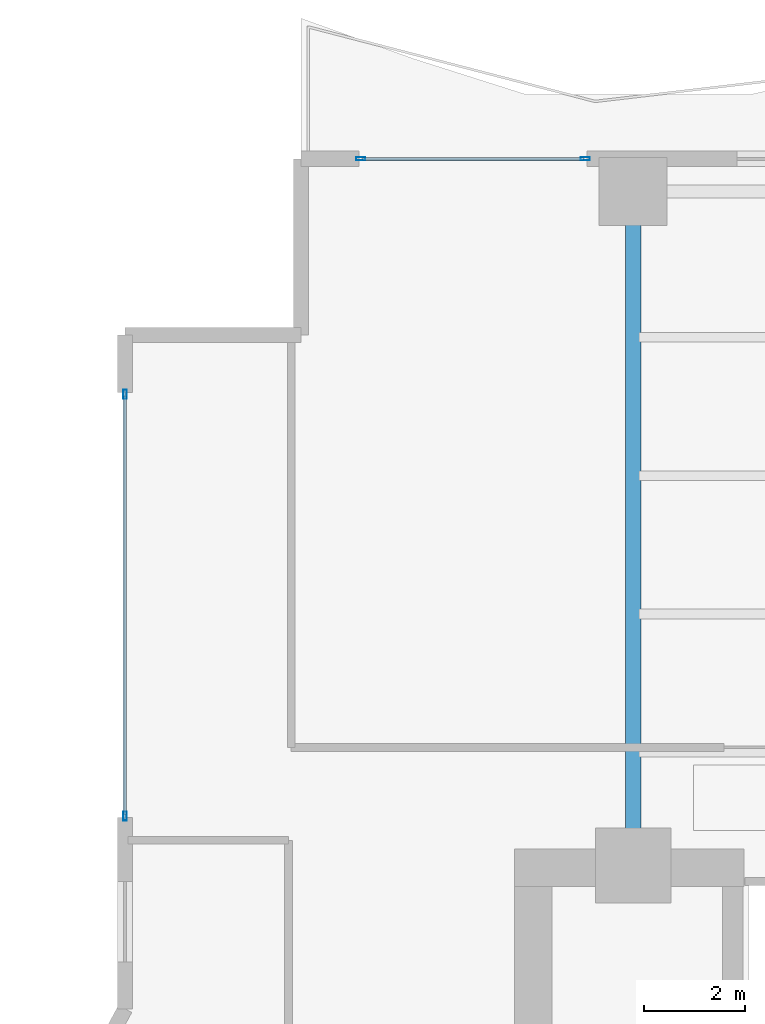
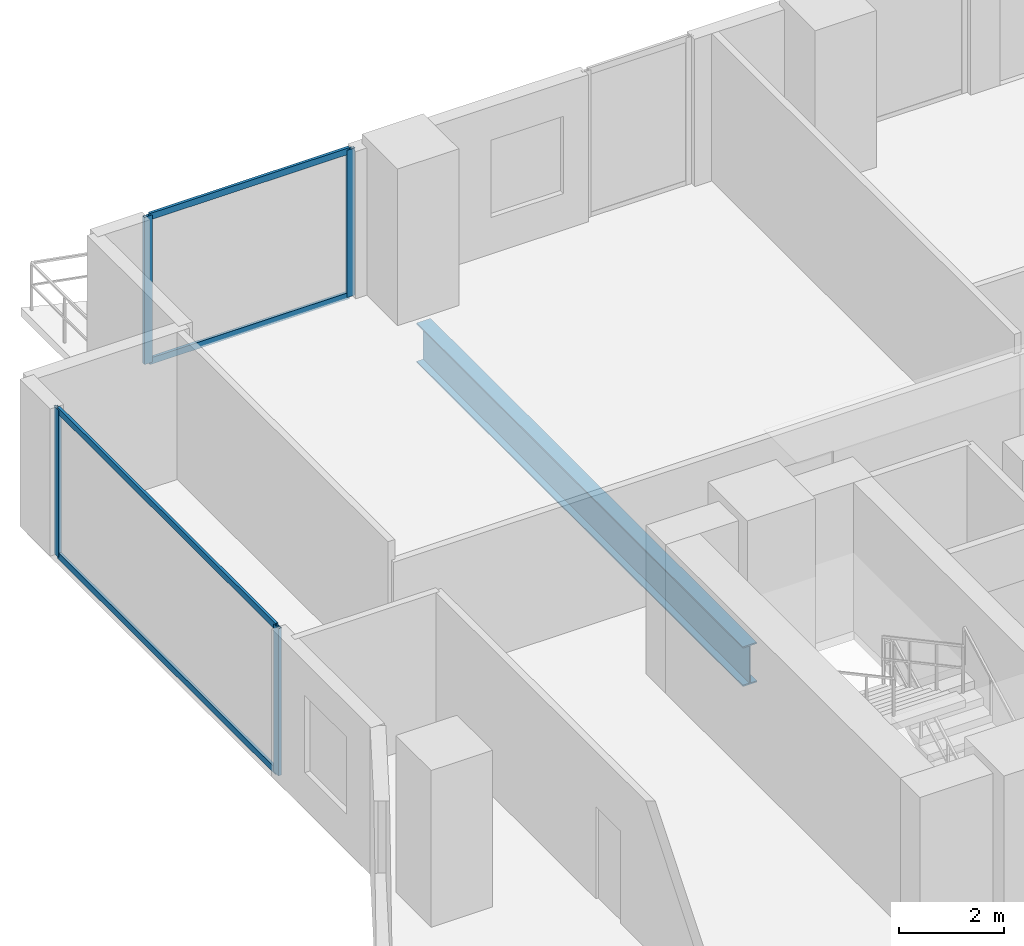
# One storey, part 14 of 28: 8 members, 1 beam, 2 elements without a shape of their own.
"""IFC4 building model written with IfcOpenShell, lengths in metres."""

import ifcopenshell
import ifcopenshell.guid

model = None  # the IFC model being written
_history = None  # IfcOwnerHistory: only IFC2X3 demands one
_inside = {}  # id of a spatial element -> (the spatial element, [elements in it])
_under = {}  # id of a project, library or spatial element -> (it, [spatial elements below it])
_declared = {}  # id of a project -> (the project, [libraries it declares])
_typed = {}  # id of a type object -> (the type object, [elements of that type])
_made_of = {}  # id of a material, layer set ... -> (it, [elements and type objects made of it])


def new_model(schema):
    """Start an empty IFC model of exactly this schema.

    Asked for "IFC4X3", IfcOpenShell would pick the latest addendum, in which some entities
    have other attributes; the version numbers below select the first issue.
    IFC2X3 requires an IfcOwnerHistory on every rooted entity: one is made here for all.
    """
    global model, _history
    if schema == "IFC4X3":
        model = ifcopenshell.file(schema_version=(4, 3, 0, 0))
    else:
        model = ifcopenshell.file(schema=schema)
    _inside.clear()
    _under.clear()
    _declared.clear()
    _typed.clear()
    _made_of.clear()
    _history = None
    if model.schema == "IFC2X3":
        org = make("IfcOrganization", Name="unknown")
        user = make(
            "IfcPersonAndOrganization",
            ThePerson=make("IfcPerson", FamilyName="unknown"),
            TheOrganization=org,
        )
        app = make(
            "IfcApplication",
            ApplicationDeveloper=org,
            Version="unknown",
            ApplicationFullName="unknown",
            ApplicationIdentifier="unknown",
        )
        _history = make(
            "IfcOwnerHistory",
            OwningUser=user,
            OwningApplication=app,
            ChangeAction="ADDED",
            CreationDate=0,
        )
    return model


def make(cls, **values):
    """One entity of the class cls with the attributes given. An attribute that is None is left unset."""
    return model.create_entity(
        cls, **{name: value for name, value in values.items() if value is not None}
    )


def rooted(cls, **values):
    """An entity with a GlobalId (a new one), such as an element, a storey or a relation."""
    return make(cls, GlobalId=ifcopenshell.guid.new(), OwnerHistory=_history, **values)


def si_unit(unit_type, name, prefix=None):
    """IfcSIUnit, for example si_unit("LENGTHUNIT", "METRE", prefix="MILLI")."""
    return make("IfcSIUnit", UnitType=unit_type, Prefix=prefix, Name=name)


def assignment(units):
    """IfcUnitAssignment: the units of a project."""
    return None if units is None else make("IfcUnitAssignment", Units=units)


def point(xyz):
    """IfcCartesianPoint."""
    return None if xyz is None else make("IfcCartesianPoint", Coordinates=xyz)


def direction(xyz):
    """IfcDirection."""
    return None if xyz is None else make("IfcDirection", DirectionRatios=xyz)


def frame(location, z_axis=None, x_axis=None):
    """IfcAxis2Placement3D, a coordinate frame: its origin and axes. An axis left out is left unset."""
    return make(
        "IfcAxis2Placement3D",
        Location=point(location),
        Axis=direction(z_axis),
        RefDirection=direction(x_axis),
    )


def frame_2d(location, x_axis=None):
    """IfcAxis2Placement2D, a coordinate frame in the plane: its origin and x axis."""
    return make(
        "IfcAxis2Placement2D", Location=point(location), RefDirection=direction(x_axis)
    )


def origin():
    """The frame at (0, 0, 0) with its axes left unset."""
    return frame((0.0, 0.0, 0.0))


def origin_2d():
    """The frame at (0, 0) in the plane with its x axis left unset."""
    return frame_2d((0.0, 0.0))


def place(relative_to, where):
    """IfcLocalPlacement: puts the frame where relative to a parent placement (None: the world)."""
    return make(
        "IfcLocalPlacement", PlacementRelTo=relative_to, RelativePlacement=where
    )


def context(
    kind, dimensions, precision=None, world=None, true_north=None, identifier=None
):
    """IfcGeometricRepresentationContext, for example the 3D "Model" context."""
    return make(
        "IfcGeometricRepresentationContext",
        ContextIdentifier=identifier,
        ContextType=kind,
        CoordinateSpaceDimension=dimensions,
        Precision=precision,
        WorldCoordinateSystem=world,
        TrueNorth=true_north,
    )


def subcontext(parent, identifier, kind, view, scale=None):
    """IfcGeometricRepresentationSubContext, for example "Body" below "Model"."""
    return make(
        "IfcGeometricRepresentationSubContext",
        ContextIdentifier=identifier,
        ContextType=kind,
        ParentContext=parent,
        TargetScale=scale,
        TargetView=view,
    )


def project(units=None, contexts=None):
    """IfcProject with its units and contexts."""
    return rooted(
        "IfcProject",
        Name="project",
        RepresentationContexts=contexts,
        UnitsInContext=assignment(units),
    )


def spatial(cls, under=None, at=None, **own):
    """A site, building, storey or space (cls), placed at a placement, below another one or the project."""
    s = rooted(cls, ObjectPlacement=at, **own)
    if under is not None:
        _under.setdefault(under.id(), (under, []))[1].append(s)
    return s


def profile(cls, at=None, kind="AREA", **sizes):
    """A parametric profile (cls). Its sizes go by their IFC names, for example OverallWidth=200.0."""
    return make(cls, ProfileType=kind, Position=at, **sizes)


def hollow_rectangle(**sizes):
    """IfcRectangleHollowProfileDef."""
    return profile("IfcRectangleHollowProfileDef", **sizes)


def i_section(**sizes):
    """IfcIShapeProfileDef."""
    return profile("IfcIShapeProfileDef", **sizes)


def extrude(swept, where, along, depth):
    """IfcExtrudedAreaSolid: the profile swept, set in the frame where, extruded along a direction by depth."""
    return make(
        "IfcExtrudedAreaSolid",
        SweptArea=swept,
        Position=where,
        ExtrudedDirection=direction(along),
        Depth=depth,
    )


def shape(context_of_items, identifier, shape_type, items):
    """IfcShapeRepresentation: the items that make up one representation, for example the "Body"."""
    return make(
        "IfcShapeRepresentation",
        ContextOfItems=context_of_items,
        RepresentationIdentifier=identifier,
        RepresentationType=shape_type,
        Items=items,
    )


def material(Name=None, Category=None):
    """IfcMaterial."""
    return make("IfcMaterial", Name=Name, Category=Category)


def layer(
    of_material, thickness, ventilated=None, Name=None, Category=None, Priority=None
):
    """IfcMaterialLayer: one layer of a wall or slab, of a material (None: an air gap)."""
    return make(
        "IfcMaterialLayer",
        Material=of_material,
        LayerThickness=thickness,
        IsVentilated=ventilated,
        Name=Name,
        Category=Category,
        Priority=Priority,
    )


def layer_set(layers, Name=None):
    """IfcMaterialLayerSet."""
    return make("IfcMaterialLayerSet", MaterialLayers=layers, LayerSetName=Name)


def material_profile(
    of_material, cross_section, Name=None, Category=None, Priority=None
):
    """IfcMaterialProfile: a cross section and its material."""
    return make(
        "IfcMaterialProfile",
        Name=Name,
        Material=of_material,
        Profile=cross_section,
        Priority=Priority,
        Category=Category,
    )


def profile_set(profiles, Name=None, composite=None):
    """IfcMaterialProfileSet."""
    return make(
        "IfcMaterialProfileSet",
        Name=Name,
        MaterialProfiles=profiles,
        CompositeProfile=composite,
    )


def made_of(thing, what):
    """Note that an element or type object is made of a material, layer set ...; save() writes the relation."""
    if what is not None:
        _made_of.setdefault(what.id(), (what, []))[1].append(thing)
    return thing


def type_object(cls, material=None, **own):
    """A type object (cls), such as IfcWallType, which elements share."""
    return made_of(rooted(cls, **own), material)


def element(
    cls,
    number,
    at=None,
    inside=None,
    cuts=None,
    type_object=None,
    material=None,
    context=None,
    identifier="Body",
    shape_type=None,
    held_by="IfcProductDefinitionShape",
    body=None,
    shapes=None,
    **own,
):
    """One element of the class cls, such as IfcWall. Its Tag is "e" and its number.

    at: its placement. inside: the storey or other place that contains it. cuts: it is an
    opening in that element (IfcRelVoidsElement). A single representation is given by context,
    identifier, shape_type and body (its items); several are given by shapes. held_by: the class
    of the entity that holds the representations. save() writes the other relations.
    """
    e = rooted(cls, Tag="e%d" % number, ObjectPlacement=at, **own)
    if body is not None:
        shapes = [shape(context, identifier, shape_type, body)]
    if shapes is not None:
        e.Representation = make(held_by, Representations=shapes)
    if inside is not None:
        _inside.setdefault(inside.id(), (inside, []))[1].append(e)
    if cuts is not None:
        rooted(
            "IfcRelVoidsElement", RelatingBuildingElement=cuts, RelatedOpeningElement=e
        )
    if type_object is not None:
        _typed.setdefault(type_object.id(), (type_object, []))[1].append(e)
    return made_of(e, material)


def aggregate(whole, parts):
    """IfcRelAggregates: a whole, such as a stair, and the parts it consists of."""
    return rooted("IfcRelAggregates", RelatingObject=whole, RelatedObjects=parts)


def save(model, path):
    """Write the relations noted so far, then the file.

    IfcRelAggregates (storeys below a building ...), IfcRelContainedInSpatialStructure (elements
    in a storey), IfcRelDefinesByType, IfcRelAssociatesMaterial and IfcRelDeclares: one each for
    every whole, place, type object, material and project.
    """
    for whole, parts in _under.values():
        aggregate(whole, parts)
    for where, things in _inside.values():
        rooted(
            "IfcRelContainedInSpatialStructure",
            RelatedElements=things,
            RelatingStructure=where,
        )
    for kind, things in _typed.values():
        rooted("IfcRelDefinesByType", RelatedObjects=things, RelatingType=kind)
    for what, things in _made_of.values():
        rooted("IfcRelAssociatesMaterial", RelatedObjects=things, RelatingMaterial=what)
    for by, libraries in _declared.values():
        rooted("IfcRelDeclares", RelatingContext=by, RelatedDefinitions=libraries)
    model.write(path)


model = new_model("IFC4")

# Units and contexts
model_context = context("Model", 3, precision=1e-05, world=origin(), true_north=direction((0.0, 1.0)))
body_context = subcontext(model_context, "Body", "Model", "MODEL_VIEW")
ifc_project = project(units=[si_unit("LENGTHUNIT", "METRE"), si_unit("AREAUNIT", "SQUARE_METRE"), si_unit("VOLUMEUNIT", "CUBIC_METRE"), si_unit("PLANEANGLEUNIT", "RADIAN"), si_unit("MASSUNIT", "GRAM", prefix="KILO")], contexts=[model_context])

# Site, building, storey
site_placement = place(None, origin())
site = spatial("IfcSite", under=ifc_project, at=site_placement, CompositionType="ELEMENT")
building_placement = place(site_placement, origin())
building = spatial("IfcBuilding", under=site, at=building_placement, Name="Zuhayl Quay Hotel", CompositionType="ELEMENT")
storey_placement = place(building_placement, frame((0.0, 0.0, 146.75)))
storey = spatial("IfcBuildingStorey", under=building, at=storey_placement, Name="L37", CompositionType="ELEMENT", Elevation=146.75)

# Beam
ifc_material_1 = material(Name="Steel ASTM A992 Grade 50", Category="steel")
ifc_material_profile_1 = material_profile(ifc_material_1, i_section(OverallWidth=0.306884765625, OverallDepth=0.927001953125, WebThickness=0.019287109375, FlangeThickness=0.031982421875, at=origin_2d()), Name="W36X194")
ifc_profile_set_1 = profile_set([ifc_material_profile_1], Name="Steel ASTM A992 Grade 50")
beam_type = type_object("IfcBeamType", Name="BM_PG2_W36X194", PredefinedType="BEAM", material=ifc_profile_set_1)
beam_placement = place(storey_placement, frame((-13.800048828125, 14.800048828125, -0.68359375), z_axis=(0.0, 1.0, 0.0), x_axis=(-1.0, 0.0, 0.0)))
element("IfcBeam", 1, at=beam_placement, inside=storey, type_object=beam_type, Name="L37 Floor Beam FG_N_L37_1", PredefinedType="BEAM", context=body_context, shape_type="SweptSolid", body=[
    extrude(i_section(OverallWidth=0.306884765625, OverallDepth=0.927001953125, WebThickness=0.019287109375, FlangeThickness=0.031982421875, at=origin_2d()), origin(), (0.0, 0.0, 1.0), 12.449951171875),
])

# Curtain wall, members
ifc_material_2 = material(Name="Anodised Aluminium 6063-T6", Category="aluminium")
ifc_layer = layer(ifc_material_2, 0.179931640625, Name="Anodised Aluminium 6063-T6", Category="aluminium")
ifc_layer_set = layer_set([ifc_layer], Name="Anodised Aluminium 6063-T6")
curtain_wall_type = type_object("IfcCurtainWallType", Name="CW_SYS_Z2", PredefinedType="USERDEFINED", material=ifc_layer_set)
curtain_wall_1_placement = place(storey_placement, origin())
curtain_wall_1 = element("IfcCurtainWall", 2, at=curtain_wall_1_placement, inside=storey, type_object=curtain_wall_type, Name="L37 Curtain Wall ENV_L37_E05_CW1", ObjectType="UNITISED CURTAIN WALL", PredefinedType="USERDEFINED")
ifc_material_3 = material(Name="Black-anodised aluminium 6063-T6", Category="aluminium")
ifc_material_profile_2 = material_profile(ifc_material_3, hollow_rectangle(XDim=0.06494140625, YDim=0.179931640625, WallThickness=0.00341796875, at=origin_2d()), Name="ALU180X65")
ifc_profile_set_2 = profile_set([ifc_material_profile_2], Name="Black-anodised aluminium 6063-T6")
member_type_1 = type_object("IfcMemberType", Name="MB_CW_MUL_180", PredefinedType="MULLION", material=ifc_profile_set_2)
member_1_placement = place(storey_placement, frame((-23.89990234375, 15.33251953125, 0.0), z_axis=(0.0, 0.0, 1.0), x_axis=(-1.0, 0.0, 0.0)))
member_1 = element("IfcMember", 3, at=member_1_placement, type_object=member_type_1, Name="CW-Z2 mullion 1", PredefinedType="MULLION", context=body_context, shape_type="SweptSolid", body=[
    extrude(hollow_rectangle(XDim=0.06494140625, YDim=0.179931640625, WallThickness=0.00341796875, at=origin_2d()), origin(), (0.0, 0.0, 1.0), 3.429931640625),
])
member_2_placement = place(storey_placement, frame((-23.89990234375, 23.717529296875, 0.0), z_axis=(0.0, 0.0, 1.0), x_axis=(-1.0, 0.0, 0.0)))
member_2 = element("IfcMember", 4, at=member_2_placement, type_object=member_type_1, Name="CW-Z2 mullion 2", PredefinedType="MULLION", context=body_context, shape_type="SweptSolid", body=[
    extrude(hollow_rectangle(XDim=0.06494140625, YDim=0.179931640625, WallThickness=0.00341796875, at=origin_2d()), origin(), (0.0, 0.0, 1.0), 3.429931640625),
])

curtain_wall_2_placement = place(storey_placement, origin())
curtain_wall_2 = element("IfcCurtainWall", 5, at=curtain_wall_2_placement, inside=storey, type_object=curtain_wall_type, Name="L37 Curtain Wall ENV_L37_N_CW1", ObjectType="UNITISED CURTAIN WALL", PredefinedType="USERDEFINED")
member_3_placement = place(storey_placement, frame((-19.217529296875, 28.39990234375, 0.0), z_axis=(0.0, 0.0, 1.0), x_axis=(0.0, 1.0, 0.0)))
member_3 = element("IfcMember", 6, at=member_3_placement, type_object=member_type_1, Name="CW-Z2 mullion 1", PredefinedType="MULLION", context=body_context, shape_type="SweptSolid", body=[
    extrude(hollow_rectangle(XDim=0.06494140625, YDim=0.179931640625, WallThickness=0.00341796875, at=origin_2d()), origin(), (0.0, 0.0, 1.0), 3.429931640625),
])
member_4_placement = place(storey_placement, frame((-14.75244140625, 28.39990234375, 0.0), z_axis=(0.0, 0.0, 1.0), x_axis=(0.0, 1.0, 0.0)))
member_4 = element("IfcMember", 7, at=member_4_placement, type_object=member_type_1, Name="CW-Z2 mullion 2", PredefinedType="MULLION", context=body_context, shape_type="SweptSolid", body=[
    extrude(hollow_rectangle(XDim=0.06494140625, YDim=0.179931640625, WallThickness=0.00341796875, at=origin_2d()), origin(), (0.0, 0.0, 1.0), 3.429931640625),
])

# Member
ifc_material_profile_3 = material_profile(ifc_material_3, hollow_rectangle(XDim=0.06005859375, YDim=0.14990234375, WallThickness=0.00341796875, at=origin_2d()), Name="ALU150X60")
ifc_profile_set_3 = profile_set([ifc_material_profile_3], Name="Black-anodised aluminium 6063-T6")
member_type_2 = type_object("IfcMemberType", Name="MB_CW_TRN_150", PredefinedType="USERDEFINED", material=ifc_profile_set_3)
member_5_placement = place(storey_placement, frame((-23.89990234375, 15.364990234375, 0.030029296875), z_axis=(0.0, 1.0, 0.0), x_axis=(-1.0, 0.0, 0.0)))
member_5 = element("IfcMember", 8, at=member_5_placement, type_object=member_type_2, Name="CW-Z2 transom 1.1", ObjectType="TRANSOM", PredefinedType="USERDEFINED", context=body_context, shape_type="SweptSolid", body=[
    extrude(hollow_rectangle(XDim=0.06005859375, YDim=0.14990234375, WallThickness=0.00341796875, at=origin_2d()), origin(), (0.0, 0.0, 1.0), 8.320068359375),
])

member_6_placement = place(storey_placement, frame((-23.89990234375, 15.364990234375, 3.39990234375), z_axis=(0.0, 1.0, 0.0), x_axis=(-1.0, 0.0, 0.0)))
member_6 = element("IfcMember", 9, at=member_6_placement, type_object=member_type_2, Name="CW-Z2 transom 1.2", ObjectType="TRANSOM", PredefinedType="USERDEFINED", context=body_context, shape_type="SweptSolid", body=[
    extrude(hollow_rectangle(XDim=0.06005859375, YDim=0.14990234375, WallThickness=0.00341796875, at=origin_2d()), origin(), (0.0, 0.0, 1.0), 8.320068359375),
])

aggregate(curtain_wall_1, [member_1, member_2, member_5, member_6])

member_7_placement = place(storey_placement, frame((-19.18505859375, 28.39990234375, 0.030029296875), z_axis=(1.0, 0.0, 0.0), x_axis=(0.0, 1.0, 0.0)))
member_7 = element("IfcMember", 10, at=member_7_placement, type_object=member_type_2, Name="CW-Z2 transom 1.1", ObjectType="TRANSOM", PredefinedType="USERDEFINED", context=body_context, shape_type="SweptSolid", body=[
    extrude(hollow_rectangle(XDim=0.06005859375, YDim=0.14990234375, WallThickness=0.00341796875, at=origin_2d()), origin(), (0.0, 0.0, 1.0), 4.400146484375),
])

member_8_placement = place(storey_placement, frame((-19.18505859375, 28.39990234375, 3.39990234375), z_axis=(1.0, 0.0, 0.0), x_axis=(0.0, 1.0, 0.0)))
member_8 = element("IfcMember", 11, at=member_8_placement, type_object=member_type_2, Name="CW-Z2 transom 1.2", ObjectType="TRANSOM", PredefinedType="USERDEFINED", context=body_context, shape_type="SweptSolid", body=[
    extrude(hollow_rectangle(XDim=0.06005859375, YDim=0.14990234375, WallThickness=0.00341796875, at=origin_2d()), origin(), (0.0, 0.0, 1.0), 4.400146484375),
])

aggregate(curtain_wall_2, [member_3, member_4, member_7, member_8])

save(model, "model.ifc")
